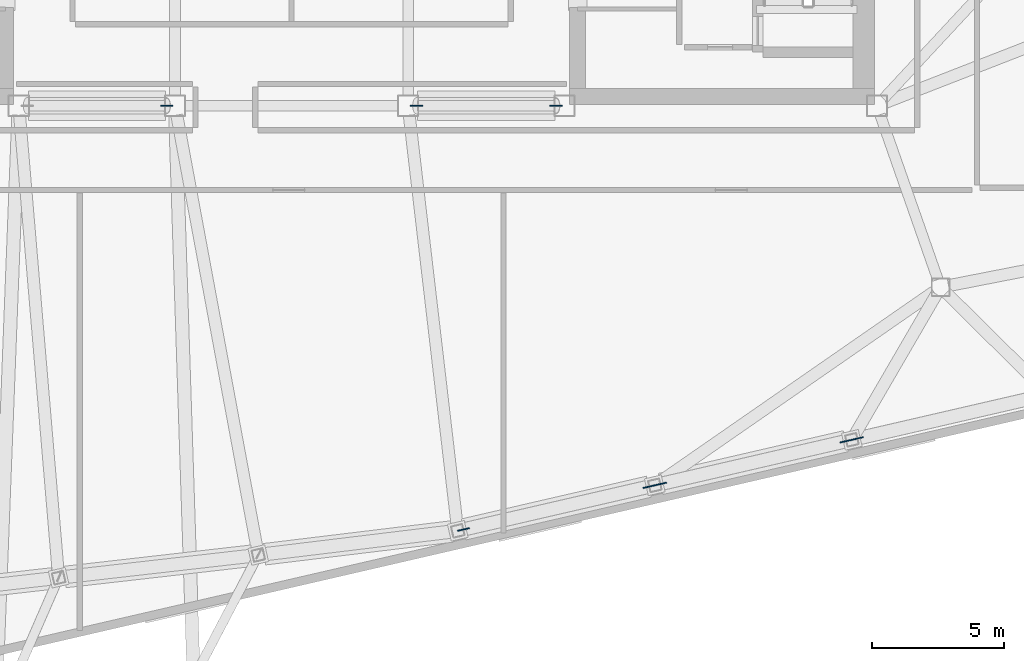
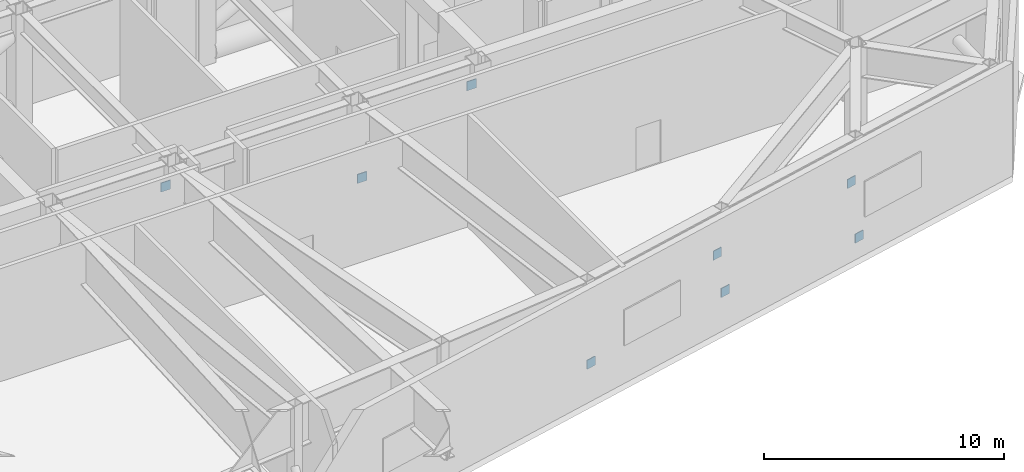
# One storey, part 11 of 15: 8 discrete accessories.
"""IFC4 building model written with IfcOpenShell, lengths in metres."""

from ifc_helpers import new_model, si_unit, direction, frame, origin, origin_2d, place, context, subcontext, project, spatial, rectangle, extrude, material, type_object, element, save


model = new_model("IFC4")

# Units and contexts
model_context = context("Model", 3, precision=1e-05, world=origin(), true_north=direction((0.0, 1.0)))
body_context = subcontext(model_context, "Body", "Model", "MODEL_VIEW")
ifc_project = project(units=[si_unit("LENGTHUNIT", "METRE"), si_unit("AREAUNIT", "SQUARE_METRE"), si_unit("VOLUMEUNIT", "CUBIC_METRE"), si_unit("PLANEANGLEUNIT", "RADIAN"), si_unit("MASSUNIT", "GRAM", prefix="KILO")], contexts=[model_context])

# Site, building, storey
site_placement = place(None, origin())
site = spatial("IfcSite", under=ifc_project, at=site_placement, CompositionType="ELEMENT")
building_placement = place(site_placement, origin())
building = spatial("IfcBuilding", under=site, at=building_placement, Name="Tavrogorsk Clinical Tower", CompositionType="ELEMENT")
storey_placement = place(building_placement, frame((0.0, 0.0, 271.0)))
storey = spatial("IfcBuildingStorey", under=building, at=storey_placement, Name="L63", CompositionType="ELEMENT", Elevation=271.0)

# Discrete accessories
ifc_material = material(Name="Structural steel S440", Category="steel")
discrete_accessory_type = type_object("IfcDiscreteAccessoryType", Name="GussetPlateBracket_25", PredefinedType="BRACKET", material=ifc_material)
for number, where, z_axis, x_axis, name in (
    (1, (6.490478515625, -22.3466796875, 1.085693359375), (0.0, 0.0, 1.0), (0.974370064785, 0.224951054344, 0.0), "L63 Brace Gusset Plate EXOBELT-L63-05-A"),
    (2, (13.493408203125, -20.72998046875, 3.1943359375), (0.0, 0.0, 1.0), (0.974370064785, 0.224951054344, 0.0), "L63 Brace Gusset Plate EXOBELT-L63-05-B"),
    (3, (13.92919921875, -20.62939453125, 1.085693359375), (0.0, 0.0, 1.0), (0.974370064785, 0.224951054344, 0.0), "L63 Brace Gusset Plate EXOBELT-L63-06-A"),
    (4, (20.93212890625, -19.0126953125, 3.1943359375), (0.0, 0.0, 1.0), (0.974370064785, 0.224951054344, 0.0), "L63 Brace Gusset Plate EXOBELT-L63-06-B"),
    (5, (21.35986328125, -18.913818359375, 0.208740234375), (0.0, 0.0, 1.0), (0.974370064785, 0.224951054344, 0.0), "L63 Brace Gusset Plate EXOBELT-L63-07-A"),
    (6, (-4.71630859375, -6.35009765625, 4.2880859375), (0.0, 0.0, 1.0), (1.0, 0.0, 0.0), "L63 Brace Gusset Plate ORDG-L63-01-B"),
    (7, (4.71630859375, -6.35009765625, 1.422119140625), (0.0, 0.0, 1.0), (1.0, 0.0, 0.0), "L63 Brace Gusset Plate ORDG-L63-03-A"),
    (8, (9.98388671875, -6.35009765625, 4.2880859375), (0.0, 0.0, 1.0), (1.0, 0.0, 0.0), "L63 Brace Gusset Plate ORDG-L63-03-B"),
):
    element("IfcDiscreteAccessory", number, at=place(storey_placement, frame(where, z_axis=z_axis, x_axis=x_axis)), inside=storey, type_object=discrete_accessory_type, Name=name, PredefinedType="BRACKET", context=body_context, shape_type="SweptSolid", body=[
        extrude(rectangle(XDim=0.4599609375, YDim=0.0400390625, at=origin_2d()), origin(), (0.0, 0.0, 1.0), 0.4599609375),
    ])

save(model, "model.ifc")
